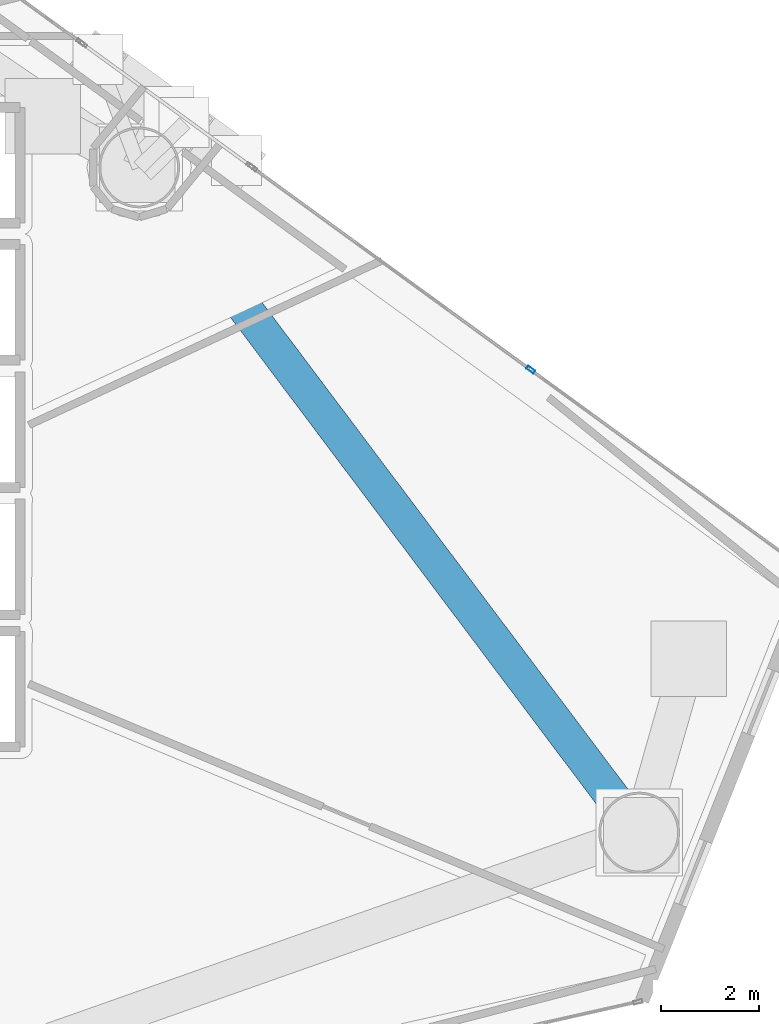
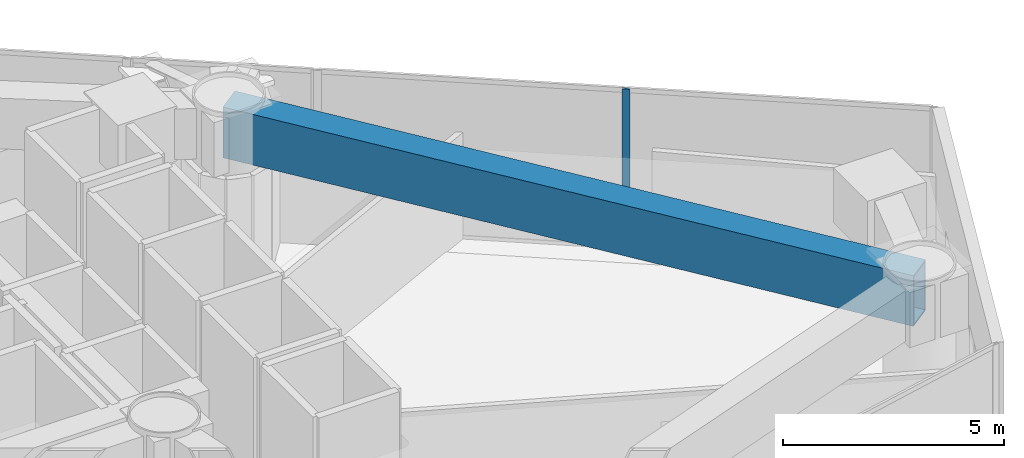
# One storey, part 13 of 22: 1 beam, 1 member, 1 element without a shape of its own.
"""IFC4 building model written with IfcOpenShell, lengths in metres."""

from ifc_helpers import new_model, si_unit, direction, frame, origin, origin_2d, place, context, subcontext, project, spatial, hollow_rectangle, extrude, material, layer, layer_set, material_profile, profile_set, type_object, element, aggregate, save


model = new_model("IFC4")

# Units and contexts
model_context = context("Model", 3, precision=1e-05, world=origin(), true_north=direction((0.0, 1.0)))
body_context = subcontext(model_context, "Body", "Model", "MODEL_VIEW")
ifc_project = project(units=[si_unit("LENGTHUNIT", "METRE"), si_unit("AREAUNIT", "SQUARE_METRE"), si_unit("VOLUMEUNIT", "CUBIC_METRE"), si_unit("PLANEANGLEUNIT", "RADIAN"), si_unit("MASSUNIT", "GRAM", prefix="KILO")], contexts=[model_context])

# Site, building, storey
site_placement = place(None, origin())
site = spatial("IfcSite", under=ifc_project, at=site_placement, CompositionType="ELEMENT")
building_placement = place(site_placement, origin())
building = spatial("IfcBuilding", under=site, at=building_placement, Name="Qianvela Tower", CompositionType="ELEMENT")
storey_placement = place(building_placement, frame((0.0, 0.0, 93.199951171875)))
storey = spatial("IfcBuildingStorey", under=building, at=storey_placement, Name="L23", CompositionType="ELEMENT", Elevation=93.199951171875)

# Beam
ifc_material_1 = material(Name="Steel Q420GJC", Category="steel")
ifc_material_profile_1 = material_profile(ifc_material_1, hollow_rectangle(XDim=0.699951171875, YDim=1.39990234375, WallThickness=0.0400390625, at=origin_2d()), Name="TG-BOX-1400x700x40")
ifc_profile_set_1 = profile_set([ifc_material_profile_1], Name="Steel Q420GJC")
beam_type = type_object("IfcBeamType", Name="BM-TG-RAD-1400", PredefinedType="BEAM", material=ifc_profile_set_1)
beam_placement = place(storey_placement, frame((56.198974609375, 20.468017578125, 3.718017578125), z_axis=(-0.600881979864, 0.799337754816, 0.0), x_axis=(-0.799337754816, -0.600881979864, 0.0)))
element("IfcBeam", 1, at=beam_placement, inside=storey, type_object=beam_type, Name="L23 Perimeter Belt-Truss Top Ring Girder 1", PredefinedType="BEAM", context=body_context, shape_type="SweptSolid", body=[
    extrude(hollow_rectangle(XDim=0.699951171875, YDim=1.39990234375, WallThickness=0.0400390625, at=origin_2d()), origin(), (0.0, 0.0, 1.0), 17.000244140625),
])

# Curtain wall, member
ifc_material_2 = material(Name="Anodised Architectural Aluminium and Low-E Glass", Category="aluminium")
ifc_layer = layer(ifc_material_2, 0.179931640625)
ifc_layer_set = layer_set([ifc_layer], Name="Anodised Architectural Aluminium and Low-E Glass")
curtain_wall_type = type_object("IfcCurtainWallType", Name="CW-COLIV-Z12", PredefinedType="USERDEFINED", material=ifc_layer_set)
curtain_wall_placement = place(storey_placement, origin())
curtain_wall = element("IfcCurtainWall", 2, at=curtain_wall_placement, inside=storey, type_object=curtain_wall_type, Name="L23 CW-COLIV-Z12 Curtain Wall 02A", ObjectType="CURTAIN_WALL_SYSTEM", PredefinedType="USERDEFINED")
ifc_material_3 = material(Name="Anodised Architectural Aluminium 6063-T6", Category="aluminium")
ifc_material_profile_2 = material_profile(ifc_material_3, hollow_rectangle(XDim=0.070068359375, YDim=0.179931640625, WallThickness=0.0048828125, at=origin_2d()), Name="ALU-MULL-70x180")
ifc_profile_set_2 = profile_set([ifc_material_profile_2], Name="Anodised Architectural Aluminium 6063-T6")
member_type = type_object("IfcMemberType", Name="CW-COLIV-Z12-MULL", PredefinedType="MULLION", material=ifc_profile_set_2)
member_placement = place(storey_placement, frame((53.983154296875, 29.924072265625, 0.0), z_axis=(0.0, 0.0, 1.0), x_axis=(-0.588253024297, -0.808676931417, 0.0)))
member = element("IfcMember", 3, at=member_placement, type_object=member_type, Name="CW-3 mullion 2", PredefinedType="MULLION", context=body_context, shape_type="SweptSolid", body=[
    extrude(hollow_rectangle(XDim=0.070068359375, YDim=0.179931640625, WallThickness=0.0048828125, at=origin_2d()), origin(), (0.0, 0.0, 1.0), 4.420166015625),
])
aggregate(curtain_wall, [member])

save(model, "model.ifc")
